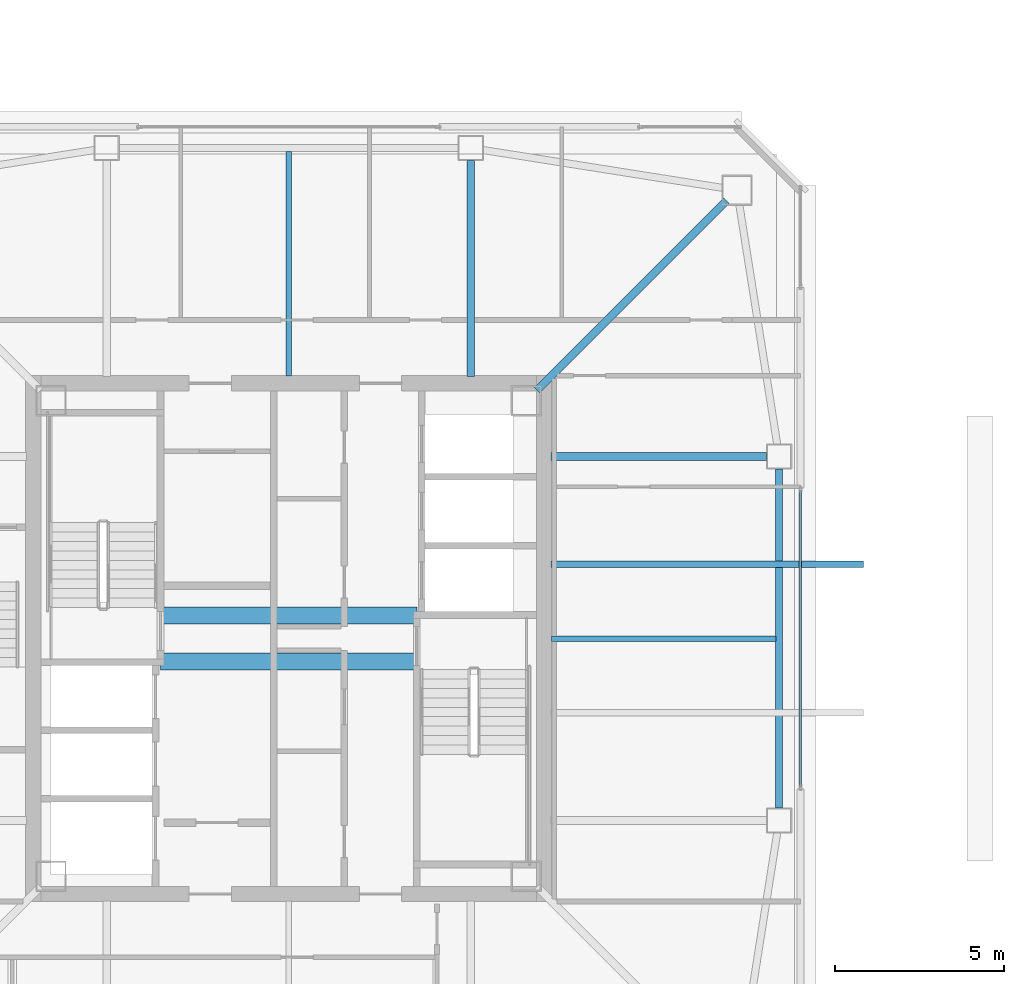
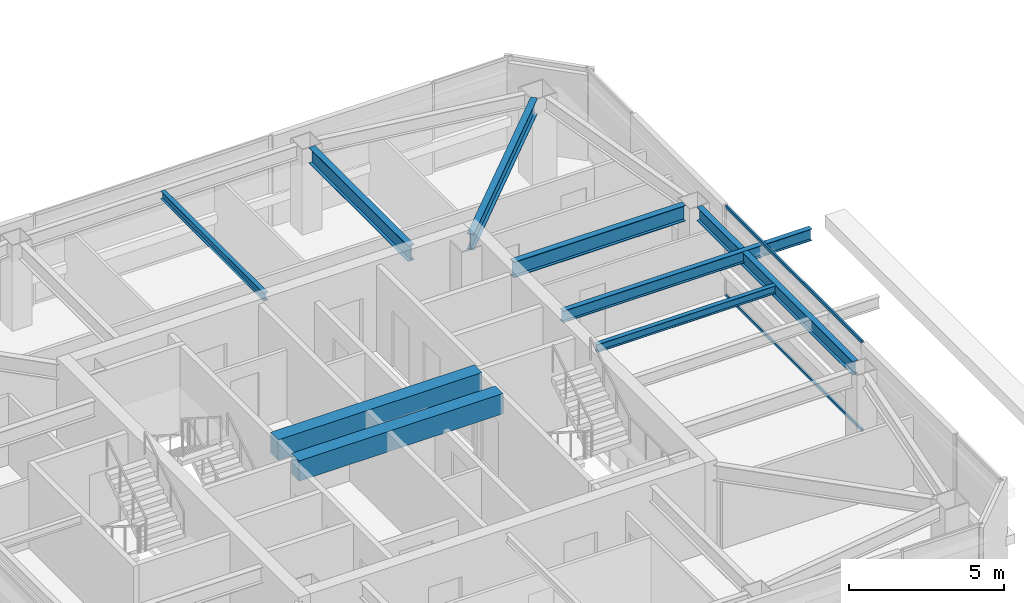
# One storey, part 8 of 31: 9 beams, 2 members, 1 element without a shape of its own.
"""IFC4 building model written with IfcOpenShell, lengths in metres."""

import ifcopenshell
import ifcopenshell.guid

model = None  # the IFC model being written
_history = None  # IfcOwnerHistory: only IFC2X3 demands one
_inside = {}  # id of a spatial element -> (the spatial element, [elements in it])
_under = {}  # id of a project, library or spatial element -> (it, [spatial elements below it])
_declared = {}  # id of a project -> (the project, [libraries it declares])
_typed = {}  # id of a type object -> (the type object, [elements of that type])
_made_of = {}  # id of a material, layer set ... -> (it, [elements and type objects made of it])


def new_model(schema):
    """Start an empty IFC model of exactly this schema.

    Asked for "IFC4X3", IfcOpenShell would pick the latest addendum, in which some entities
    have other attributes; the version numbers below select the first issue.
    IFC2X3 requires an IfcOwnerHistory on every rooted entity: one is made here for all.
    """
    global model, _history
    if schema == "IFC4X3":
        model = ifcopenshell.file(schema_version=(4, 3, 0, 0))
    else:
        model = ifcopenshell.file(schema=schema)
    _inside.clear()
    _under.clear()
    _declared.clear()
    _typed.clear()
    _made_of.clear()
    _history = None
    if model.schema == "IFC2X3":
        org = make("IfcOrganization", Name="unknown")
        user = make(
            "IfcPersonAndOrganization",
            ThePerson=make("IfcPerson", FamilyName="unknown"),
            TheOrganization=org,
        )
        app = make(
            "IfcApplication",
            ApplicationDeveloper=org,
            Version="unknown",
            ApplicationFullName="unknown",
            ApplicationIdentifier="unknown",
        )
        _history = make(
            "IfcOwnerHistory",
            OwningUser=user,
            OwningApplication=app,
            ChangeAction="ADDED",
            CreationDate=0,
        )
    return model


def make(cls, **values):
    """One entity of the class cls with the attributes given. An attribute that is None is left unset."""
    return model.create_entity(
        cls, **{name: value for name, value in values.items() if value is not None}
    )


def rooted(cls, **values):
    """An entity with a GlobalId (a new one), such as an element, a storey or a relation."""
    return make(cls, GlobalId=ifcopenshell.guid.new(), OwnerHistory=_history, **values)


def si_unit(unit_type, name, prefix=None):
    """IfcSIUnit, for example si_unit("LENGTHUNIT", "METRE", prefix="MILLI")."""
    return make("IfcSIUnit", UnitType=unit_type, Prefix=prefix, Name=name)


def assignment(units):
    """IfcUnitAssignment: the units of a project."""
    return None if units is None else make("IfcUnitAssignment", Units=units)


def point(xyz):
    """IfcCartesianPoint."""
    return None if xyz is None else make("IfcCartesianPoint", Coordinates=xyz)


def direction(xyz):
    """IfcDirection."""
    return None if xyz is None else make("IfcDirection", DirectionRatios=xyz)


def frame(location, z_axis=None, x_axis=None):
    """IfcAxis2Placement3D, a coordinate frame: its origin and axes. An axis left out is left unset."""
    return make(
        "IfcAxis2Placement3D",
        Location=point(location),
        Axis=direction(z_axis),
        RefDirection=direction(x_axis),
    )


def frame_2d(location, x_axis=None):
    """IfcAxis2Placement2D, a coordinate frame in the plane: its origin and x axis."""
    return make(
        "IfcAxis2Placement2D", Location=point(location), RefDirection=direction(x_axis)
    )


def origin():
    """The frame at (0, 0, 0) with its axes left unset."""
    return frame((0.0, 0.0, 0.0))


def origin_2d():
    """The frame at (0, 0) in the plane with its x axis left unset."""
    return frame_2d((0.0, 0.0))


def place(relative_to, where):
    """IfcLocalPlacement: puts the frame where relative to a parent placement (None: the world)."""
    return make(
        "IfcLocalPlacement", PlacementRelTo=relative_to, RelativePlacement=where
    )


def context(
    kind, dimensions, precision=None, world=None, true_north=None, identifier=None
):
    """IfcGeometricRepresentationContext, for example the 3D "Model" context."""
    return make(
        "IfcGeometricRepresentationContext",
        ContextIdentifier=identifier,
        ContextType=kind,
        CoordinateSpaceDimension=dimensions,
        Precision=precision,
        WorldCoordinateSystem=world,
        TrueNorth=true_north,
    )


def subcontext(parent, identifier, kind, view, scale=None):
    """IfcGeometricRepresentationSubContext, for example "Body" below "Model"."""
    return make(
        "IfcGeometricRepresentationSubContext",
        ContextIdentifier=identifier,
        ContextType=kind,
        ParentContext=parent,
        TargetScale=scale,
        TargetView=view,
    )


def project(units=None, contexts=None):
    """IfcProject with its units and contexts."""
    return rooted(
        "IfcProject",
        Name="project",
        RepresentationContexts=contexts,
        UnitsInContext=assignment(units),
    )


def spatial(cls, under=None, at=None, **own):
    """A site, building, storey or space (cls), placed at a placement, below another one or the project."""
    s = rooted(cls, ObjectPlacement=at, **own)
    if under is not None:
        _under.setdefault(under.id(), (under, []))[1].append(s)
    return s


def profile(cls, at=None, kind="AREA", **sizes):
    """A parametric profile (cls). Its sizes go by their IFC names, for example OverallWidth=200.0."""
    return make(cls, ProfileType=kind, Position=at, **sizes)


def rectangle(**sizes):
    """IfcRectangleProfileDef."""
    return profile("IfcRectangleProfileDef", **sizes)


def hollow_rectangle(**sizes):
    """IfcRectangleHollowProfileDef."""
    return profile("IfcRectangleHollowProfileDef", **sizes)


def i_section(**sizes):
    """IfcIShapeProfileDef."""
    return profile("IfcIShapeProfileDef", **sizes)


def extrude(swept, where, along, depth):
    """IfcExtrudedAreaSolid: the profile swept, set in the frame where, extruded along a direction by depth."""
    return make(
        "IfcExtrudedAreaSolid",
        SweptArea=swept,
        Position=where,
        ExtrudedDirection=direction(along),
        Depth=depth,
    )


def shape(context_of_items, identifier, shape_type, items):
    """IfcShapeRepresentation: the items that make up one representation, for example the "Body"."""
    return make(
        "IfcShapeRepresentation",
        ContextOfItems=context_of_items,
        RepresentationIdentifier=identifier,
        RepresentationType=shape_type,
        Items=items,
    )


def material(Name=None, Category=None):
    """IfcMaterial."""
    return make("IfcMaterial", Name=Name, Category=Category)


def material_profile(
    of_material, cross_section, Name=None, Category=None, Priority=None
):
    """IfcMaterialProfile: a cross section and its material."""
    return make(
        "IfcMaterialProfile",
        Name=Name,
        Material=of_material,
        Profile=cross_section,
        Priority=Priority,
        Category=Category,
    )


def profile_set(profiles, Name=None, composite=None):
    """IfcMaterialProfileSet."""
    return make(
        "IfcMaterialProfileSet",
        Name=Name,
        MaterialProfiles=profiles,
        CompositeProfile=composite,
    )


def made_of(thing, what):
    """Note that an element or type object is made of a material, layer set ...; save() writes the relation."""
    if what is not None:
        _made_of.setdefault(what.id(), (what, []))[1].append(thing)
    return thing


def type_object(cls, material=None, **own):
    """A type object (cls), such as IfcWallType, which elements share."""
    return made_of(rooted(cls, **own), material)


def element(
    cls,
    number,
    at=None,
    inside=None,
    cuts=None,
    type_object=None,
    material=None,
    context=None,
    identifier="Body",
    shape_type=None,
    held_by="IfcProductDefinitionShape",
    body=None,
    shapes=None,
    **own,
):
    """One element of the class cls, such as IfcWall. Its Tag is "e" and its number.

    at: its placement. inside: the storey or other place that contains it. cuts: it is an
    opening in that element (IfcRelVoidsElement). A single representation is given by context,
    identifier, shape_type and body (its items); several are given by shapes. held_by: the class
    of the entity that holds the representations. save() writes the other relations.
    """
    e = rooted(cls, Tag="e%d" % number, ObjectPlacement=at, **own)
    if body is not None:
        shapes = [shape(context, identifier, shape_type, body)]
    if shapes is not None:
        e.Representation = make(held_by, Representations=shapes)
    if inside is not None:
        _inside.setdefault(inside.id(), (inside, []))[1].append(e)
    if cuts is not None:
        rooted(
            "IfcRelVoidsElement", RelatingBuildingElement=cuts, RelatedOpeningElement=e
        )
    if type_object is not None:
        _typed.setdefault(type_object.id(), (type_object, []))[1].append(e)
    return made_of(e, material)


def aggregate(whole, parts):
    """IfcRelAggregates: a whole, such as a stair, and the parts it consists of."""
    return rooted("IfcRelAggregates", RelatingObject=whole, RelatedObjects=parts)


def save(model, path):
    """Write the relations noted so far, then the file.

    IfcRelAggregates (storeys below a building ...), IfcRelContainedInSpatialStructure (elements
    in a storey), IfcRelDefinesByType, IfcRelAssociatesMaterial and IfcRelDeclares: one each for
    every whole, place, type object, material and project.
    """
    for whole, parts in _under.values():
        aggregate(whole, parts)
    for where, things in _inside.values():
        rooted(
            "IfcRelContainedInSpatialStructure",
            RelatedElements=things,
            RelatingStructure=where,
        )
    for kind, things in _typed.values():
        rooted("IfcRelDefinesByType", RelatedObjects=things, RelatingType=kind)
    for what, things in _made_of.values():
        rooted("IfcRelAssociatesMaterial", RelatedObjects=things, RelatingMaterial=what)
    for by, libraries in _declared.values():
        rooted("IfcRelDeclares", RelatingContext=by, RelatedDefinitions=libraries)
    model.write(path)


model = new_model("IFC4")

# Units and contexts
model_context = context("Model", 3, precision=1e-05, world=origin(), true_north=direction((0.0, 1.0)))
body_context = subcontext(model_context, "Body", "Model", "MODEL_VIEW")
ifc_project = project(units=[si_unit("LENGTHUNIT", "METRE"), si_unit("AREAUNIT", "SQUARE_METRE"), si_unit("VOLUMEUNIT", "CUBIC_METRE"), si_unit("PLANEANGLEUNIT", "RADIAN"), si_unit("MASSUNIT", "GRAM", prefix="KILO")], contexts=[model_context])

# Site, building, storey
site_placement = place(None, origin())
site = spatial("IfcSite", under=ifc_project, at=site_placement, CompositionType="ELEMENT")
building_placement = place(site_placement, origin())
building = spatial("IfcBuilding", under=site, at=building_placement, Name="Tashvorn Skyway Center", CompositionType="ELEMENT")
storey_placement = place(building_placement, frame((0.0, 0.0, 266.949951171875)))
storey = spatial("IfcBuildingStorey", under=building, at=storey_placement, Name="L72", CompositionType="ELEMENT", Elevation=266.949951171875)

# Beams
ifc_material_1 = material(Name="Steel ASTM A992 Grade 50", Category="steel")
ifc_material_profile_1 = material_profile(ifc_material_1, i_section(OverallWidth=0.22998046875, OverallDepth=0.616943359375, WebThickness=0.01318359375, FlangeThickness=0.022216796875, at=origin_2d()), Name="W24X94")
ifc_profile_set_1 = profile_set([ifc_material_profile_1], Name="Steel ASTM A992 Grade 50")
beam_type_1 = type_object("IfcBeamType", Name="BM-BEAM-W24X94", PredefinedType="BEAM", material=ifc_profile_set_1)
beam_1_placement = place(storey_placement, frame((54.9853515625, 44.9853515625, 3.0615234375), z_axis=(-0.707106781187, -0.707106781187, 0.0), x_axis=(0.707106781187, -0.707106781187, 0.0)))
element("IfcBeam", 1, at=beam_1_placement, inside=storey, type_object=beam_type_1, Name="Tower 1 L72 Primary Floor Girder MC-NE", PredefinedType="BEAM", context=body_context, shape_type="SweptSolid", body=[
    extrude(i_section(OverallWidth=0.22998046875, OverallDepth=0.616943359375, WebThickness=0.01318359375, FlangeThickness=0.022216796875, at=origin_2d()), origin(), (0.0, 0.0, 1.0), 7.94873046875),
])
for number, where, z_axis, x_axis, name in (
    (2, (56.179931640625, 37.39990234375, 3.0615234375), (-1.0, 0.0, 0.0), (0.0, -1.0, 0.0), "Tower 1 L72 Primary Floor Girder FC-E2"),
    (3, (47.39990234375, 46.179931640625, 3.0615234375), (0.0, -1.0, 0.0), (1.0, 0.0, 0.0), "Tower 1 L72 Primary Floor Girder FC-N1"),
):
    element("IfcBeam", number, at=place(storey_placement, frame(where, z_axis=z_axis, x_axis=x_axis)), inside=storey, type_object=beam_type_1, Name=name, PredefinedType="BEAM", context=body_context, shape_type="SweptSolid", body=[
        extrude(i_section(OverallWidth=0.22998046875, OverallDepth=0.616943359375, WebThickness=0.01318359375, FlangeThickness=0.022216796875, at=origin_2d()), origin(), (0.0, 0.0, 1.0), 6.39990234375),
    ])
ifc_material_profile_2 = material_profile(ifc_material_1, i_section(OverallWidth=0.1650390625, OverallDepth=0.31005859375, WebThickness=0.005859375, FlangeThickness=0.009765625, at=origin_2d()), Name="W12X26")
ifc_profile_set_2 = profile_set([ifc_material_profile_2], Name="Steel ASTM A992 Grade 50")
beam_type_2 = type_object("IfcBeamType", Name="BM-JOIST-W12X26", PredefinedType="JOIST", material=ifc_profile_set_2)
for number, where, z_axis, x_axis, name in (
    (4, (42.0, 39.7900390625, 3.215087890625), (0.0, 1.0, 0.0), (-1.0, 0.0, 0.0), "Tower 1 L72 Secondary Composite Joist JN"),
    (5, (49.7900390625, 32.0, 3.215087890625), (1.0, 0.0, 0.0), (0.0, 1.0, 0.0), "Tower 1 L72 Secondary Composite Joist JE"),
):
    element("IfcBeam", number, at=place(storey_placement, frame(where, z_axis=z_axis, x_axis=x_axis)), inside=storey, type_object=beam_type_2, Name=name, PredefinedType="JOIST", context=body_context, shape_type="SweptSolid", body=[
        extrude(i_section(OverallWidth=0.1650390625, OverallDepth=0.31005859375, WebThickness=0.005859375, FlangeThickness=0.009765625, at=origin_2d()), origin(), (0.0, 0.0, 1.0), 6.662353515625),
    ])
ifc_material_profile_3 = material_profile(ifc_material_1, i_section(OverallWidth=0.19091796875, OverallDepth=0.4599609375, WebThickness=0.010009765625, FlangeThickness=0.01611328125, at=origin_2d()), Name="W18X55")
ifc_profile_set_3 = profile_set([ifc_material_profile_3], Name="Steel ASTM A992 Grade 50")
beam_type_3 = type_object("IfcBeamType", Name="BM-JOIST-W18X55", PredefinedType="JOIST", material=ifc_profile_set_3)
beam_2_placement = place(storey_placement, frame((49.780029296875, 34.199951171875, 3.14013671875), z_axis=(1.0, 0.0, 0.0), x_axis=(0.0, 1.0, 0.0)))
element("IfcBeam", 6, at=beam_2_placement, inside=storey, type_object=beam_type_3, Name="Tower 1 L73 Terrace Cantilever Outlooker 2", PredefinedType="JOIST", context=body_context, shape_type="SweptSolid", body=[
    extrude(i_section(OverallWidth=0.19091796875, OverallDepth=0.4599609375, WebThickness=0.010009765625, FlangeThickness=0.01611328125, at=origin_2d()), origin(), (0.0, 0.0, 1.0), 9.27001953125),
])
ifc_material_2 = material(Name="Concrete C50/60", Category="concrete")
ifc_material_profile_4 = material_profile(ifc_material_2, rectangle(XDim=0.5, YDim=0.800048828125, at=origin_2d()), Name="RCB500x800")
ifc_profile_set_4 = profile_set([ifc_material_profile_4], Name="Concrete C50/60")
beam_type_4 = type_object("IfcBeamType", Name="BM-LINTEL-RCB500x800", PredefinedType="LINTEL", material=ifc_profile_set_4)
for number, where, z_axis, x_axis, name in (
    (7, (38.199951171875, 32.679931640625, 2.969970703125), (1.0, 0.0, 0.0), (0.0, 1.0, 0.0), "Tower 1 L72 Core Coupling Beam CN"),
    (8, (38.199951171875, 31.320068359375, 2.969970703125), (1.0, 0.0, 0.0), (0.0, 1.0, 0.0), "Tower 1 L72 Core Coupling Beam CS"),
):
    element("IfcBeam", number, at=place(storey_placement, frame(where, z_axis=z_axis, x_axis=x_axis)), inside=storey, type_object=beam_type_4, Name=name, PredefinedType="LINTEL", context=body_context, shape_type="SweptSolid", body=[
        extrude(rectangle(XDim=0.5, YDim=0.800048828125, at=origin_2d()), origin(), (0.0, 0.0, 1.0), 7.60009765625),
    ])
ifc_material_profile_5 = material_profile(ifc_material_1, i_section(OverallWidth=0.2109375, OverallDepth=0.5390625, WebThickness=0.01171875, FlangeThickness=0.018798828125, at=origin_2d()), Name="W21X73")
ifc_profile_set_5 = profile_set([ifc_material_profile_5], Name="Steel ASTM A992 Grade 50")
beam_type_5 = type_object("IfcBeamType", Name="BM-SPANDREL-W21X73", PredefinedType="SPANDREL", material=ifc_profile_set_5)
beam_3_placement = place(storey_placement, frame((56.550048828125, 26.969970703125, 3.1005859375), z_axis=(0.0, 1.0, 0.0), x_axis=(-1.0, 0.0, 0.0)))
element("IfcBeam", 9, at=beam_3_placement, inside=storey, type_object=beam_type_5, Name="Tower 1 L72 Spandrel Beam 05", PredefinedType="SPANDREL", context=body_context, shape_type="SweptSolid", body=[
    extrude(i_section(OverallWidth=0.2109375, OverallDepth=0.5390625, WebThickness=0.01171875, FlangeThickness=0.018798828125, at=origin_2d()), origin(), (0.0, 0.0, 1.0), 10.06005859375),
])

# Curtain wall, members
ifc_material_3 = material(Name="Thermally broken bronze-anodized aluminium 6063-T6", Category="aluminium")
curtain_wall_type = type_object("IfcCurtainWallType", Name="CW-CW-Z5", PredefinedType="NOTDEFINED", material=ifc_material_3)
curtain_wall_placement = place(storey_placement, origin())
curtain_wall = element("IfcCurtainWall", 10, at=curtain_wall_placement, inside=storey, type_object=curtain_wall_type, Name="Tower 1 L72 East Unitised Curtain Wall Glazing Group 2", PredefinedType="NOTDEFINED")
ifc_material_profile_6 = material_profile(ifc_material_3, hollow_rectangle(XDim=0.070068359375, YDim=0.114990234375, WallThickness=0.00390625, at=origin_2d()), Name="ALU-TRAN-70x115")
ifc_profile_set_6 = profile_set([ifc_material_profile_6], Name="Thermally broken bronze-anodized aluminium 6063-T6")
member_type = type_object("IfcMemberType", Name="CWT-CW-Z5", PredefinedType="USERDEFINED", material=ifc_profile_set_6)
member_1_placement = place(storey_placement, frame((57.179931640625, 36.389892578125, 0.03515625), z_axis=(0.0, -1.0, 0.0), x_axis=(1.0, 0.0, 0.0)))
member_1 = element("IfcMember", 11, at=member_1_placement, type_object=member_type, Name="CW-Z5 transom 1.1", ObjectType="TRANSOM", PredefinedType="USERDEFINED", context=body_context, shape_type="SweptSolid", body=[
    extrude(hollow_rectangle(XDim=0.070068359375, YDim=0.114990234375, WallThickness=0.00390625, at=origin_2d()), origin(), (0.0, 0.0, 1.0), 8.77978515625),
])
member_2_placement = place(storey_placement, frame((57.179931640625, 36.389892578125, 3.51513671875), z_axis=(0.0, -1.0, 0.0), x_axis=(1.0, 0.0, 0.0)))
member_2 = element("IfcMember", 12, at=member_2_placement, type_object=member_type, Name="CW-Z5 transom 1.2", ObjectType="TRANSOM", PredefinedType="USERDEFINED", context=body_context, shape_type="SweptSolid", body=[
    extrude(hollow_rectangle(XDim=0.070068359375, YDim=0.114990234375, WallThickness=0.00390625, at=origin_2d()), origin(), (0.0, 0.0, 1.0), 8.77978515625),
])
aggregate(curtain_wall, [member_1, member_2])

save(model, "model.ifc")
